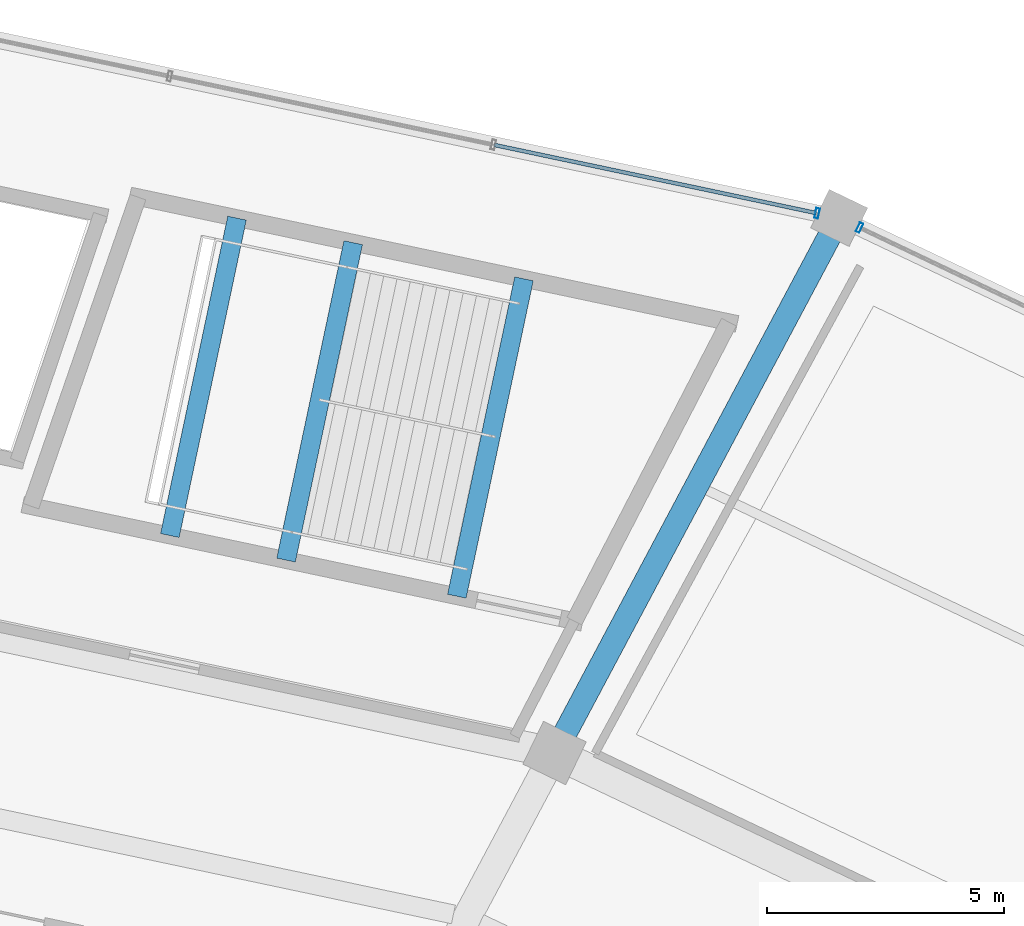
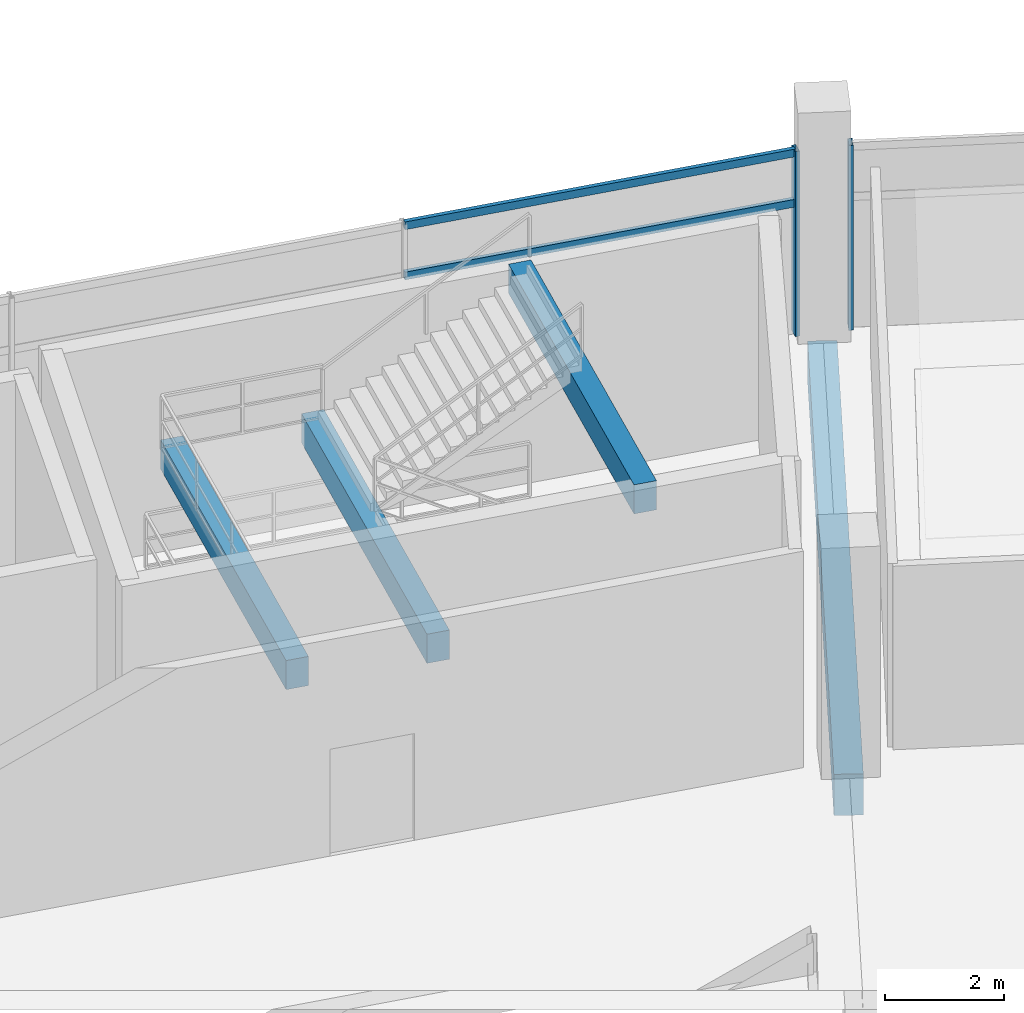
# One storey, part 116 of 171: 4 beams, 4 members, 2 elements without a shape of their own.
"""IFC4 building model written with IfcOpenShell, lengths in metres."""

import ifcopenshell
import ifcopenshell.guid

model = None  # the IFC model being written
_history = None  # IfcOwnerHistory: only IFC2X3 demands one
_inside = {}  # id of a spatial element -> (the spatial element, [elements in it])
_under = {}  # id of a project, library or spatial element -> (it, [spatial elements below it])
_declared = {}  # id of a project -> (the project, [libraries it declares])
_typed = {}  # id of a type object -> (the type object, [elements of that type])
_made_of = {}  # id of a material, layer set ... -> (it, [elements and type objects made of it])


def new_model(schema):
    """Start an empty IFC model of exactly this schema.

    Asked for "IFC4X3", IfcOpenShell would pick the latest addendum, in which some entities
    have other attributes; the version numbers below select the first issue.
    IFC2X3 requires an IfcOwnerHistory on every rooted entity: one is made here for all.
    """
    global model, _history
    if schema == "IFC4X3":
        model = ifcopenshell.file(schema_version=(4, 3, 0, 0))
    else:
        model = ifcopenshell.file(schema=schema)
    _inside.clear()
    _under.clear()
    _declared.clear()
    _typed.clear()
    _made_of.clear()
    _history = None
    if model.schema == "IFC2X3":
        org = make("IfcOrganization", Name="unknown")
        user = make(
            "IfcPersonAndOrganization",
            ThePerson=make("IfcPerson", FamilyName="unknown"),
            TheOrganization=org,
        )
        app = make(
            "IfcApplication",
            ApplicationDeveloper=org,
            Version="unknown",
            ApplicationFullName="unknown",
            ApplicationIdentifier="unknown",
        )
        _history = make(
            "IfcOwnerHistory",
            OwningUser=user,
            OwningApplication=app,
            ChangeAction="ADDED",
            CreationDate=0,
        )
    return model


def make(cls, **values):
    """One entity of the class cls with the attributes given. An attribute that is None is left unset."""
    return model.create_entity(
        cls, **{name: value for name, value in values.items() if value is not None}
    )


def rooted(cls, **values):
    """An entity with a GlobalId (a new one), such as an element, a storey or a relation."""
    return make(cls, GlobalId=ifcopenshell.guid.new(), OwnerHistory=_history, **values)


def si_unit(unit_type, name, prefix=None):
    """IfcSIUnit, for example si_unit("LENGTHUNIT", "METRE", prefix="MILLI")."""
    return make("IfcSIUnit", UnitType=unit_type, Prefix=prefix, Name=name)


def assignment(units):
    """IfcUnitAssignment: the units of a project."""
    return None if units is None else make("IfcUnitAssignment", Units=units)


def point(xyz):
    """IfcCartesianPoint."""
    return None if xyz is None else make("IfcCartesianPoint", Coordinates=xyz)


def direction(xyz):
    """IfcDirection."""
    return None if xyz is None else make("IfcDirection", DirectionRatios=xyz)


def frame(location, z_axis=None, x_axis=None):
    """IfcAxis2Placement3D, a coordinate frame: its origin and axes. An axis left out is left unset."""
    return make(
        "IfcAxis2Placement3D",
        Location=point(location),
        Axis=direction(z_axis),
        RefDirection=direction(x_axis),
    )


def frame_2d(location, x_axis=None):
    """IfcAxis2Placement2D, a coordinate frame in the plane: its origin and x axis."""
    return make(
        "IfcAxis2Placement2D", Location=point(location), RefDirection=direction(x_axis)
    )


def origin():
    """The frame at (0, 0, 0) with its axes left unset."""
    return frame((0.0, 0.0, 0.0))


def origin_2d():
    """The frame at (0, 0) in the plane with its x axis left unset."""
    return frame_2d((0.0, 0.0))


def place(relative_to, where):
    """IfcLocalPlacement: puts the frame where relative to a parent placement (None: the world)."""
    return make(
        "IfcLocalPlacement", PlacementRelTo=relative_to, RelativePlacement=where
    )


def context(
    kind, dimensions, precision=None, world=None, true_north=None, identifier=None
):
    """IfcGeometricRepresentationContext, for example the 3D "Model" context."""
    return make(
        "IfcGeometricRepresentationContext",
        ContextIdentifier=identifier,
        ContextType=kind,
        CoordinateSpaceDimension=dimensions,
        Precision=precision,
        WorldCoordinateSystem=world,
        TrueNorth=true_north,
    )


def subcontext(parent, identifier, kind, view, scale=None):
    """IfcGeometricRepresentationSubContext, for example "Body" below "Model"."""
    return make(
        "IfcGeometricRepresentationSubContext",
        ContextIdentifier=identifier,
        ContextType=kind,
        ParentContext=parent,
        TargetScale=scale,
        TargetView=view,
    )


def project(units=None, contexts=None):
    """IfcProject with its units and contexts."""
    return rooted(
        "IfcProject",
        Name="project",
        RepresentationContexts=contexts,
        UnitsInContext=assignment(units),
    )


def spatial(cls, under=None, at=None, **own):
    """A site, building, storey or space (cls), placed at a placement, below another one or the project."""
    s = rooted(cls, ObjectPlacement=at, **own)
    if under is not None:
        _under.setdefault(under.id(), (under, []))[1].append(s)
    return s


def profile(cls, at=None, kind="AREA", **sizes):
    """A parametric profile (cls). Its sizes go by their IFC names, for example OverallWidth=200.0."""
    return make(cls, ProfileType=kind, Position=at, **sizes)


def rectangle(**sizes):
    """IfcRectangleProfileDef."""
    return profile("IfcRectangleProfileDef", **sizes)


def hollow_rectangle(**sizes):
    """IfcRectangleHollowProfileDef."""
    return profile("IfcRectangleHollowProfileDef", **sizes)


def extrude(swept, where, along, depth):
    """IfcExtrudedAreaSolid: the profile swept, set in the frame where, extruded along a direction by depth."""
    return make(
        "IfcExtrudedAreaSolid",
        SweptArea=swept,
        Position=where,
        ExtrudedDirection=direction(along),
        Depth=depth,
    )


def shape(context_of_items, identifier, shape_type, items):
    """IfcShapeRepresentation: the items that make up one representation, for example the "Body"."""
    return make(
        "IfcShapeRepresentation",
        ContextOfItems=context_of_items,
        RepresentationIdentifier=identifier,
        RepresentationType=shape_type,
        Items=items,
    )


def material(Name=None, Category=None):
    """IfcMaterial."""
    return make("IfcMaterial", Name=Name, Category=Category)


def layer(
    of_material, thickness, ventilated=None, Name=None, Category=None, Priority=None
):
    """IfcMaterialLayer: one layer of a wall or slab, of a material (None: an air gap)."""
    return make(
        "IfcMaterialLayer",
        Material=of_material,
        LayerThickness=thickness,
        IsVentilated=ventilated,
        Name=Name,
        Category=Category,
        Priority=Priority,
    )


def layer_set(layers, Name=None):
    """IfcMaterialLayerSet."""
    return make("IfcMaterialLayerSet", MaterialLayers=layers, LayerSetName=Name)


def material_profile(
    of_material, cross_section, Name=None, Category=None, Priority=None
):
    """IfcMaterialProfile: a cross section and its material."""
    return make(
        "IfcMaterialProfile",
        Name=Name,
        Material=of_material,
        Profile=cross_section,
        Priority=Priority,
        Category=Category,
    )


def profile_set(profiles, Name=None, composite=None):
    """IfcMaterialProfileSet."""
    return make(
        "IfcMaterialProfileSet",
        Name=Name,
        MaterialProfiles=profiles,
        CompositeProfile=composite,
    )


def made_of(thing, what):
    """Note that an element or type object is made of a material, layer set ...; save() writes the relation."""
    if what is not None:
        _made_of.setdefault(what.id(), (what, []))[1].append(thing)
    return thing


def type_object(cls, material=None, **own):
    """A type object (cls), such as IfcWallType, which elements share."""
    return made_of(rooted(cls, **own), material)


def element(
    cls,
    number,
    at=None,
    inside=None,
    cuts=None,
    type_object=None,
    material=None,
    context=None,
    identifier="Body",
    shape_type=None,
    held_by="IfcProductDefinitionShape",
    body=None,
    shapes=None,
    **own,
):
    """One element of the class cls, such as IfcWall. Its Tag is "e" and its number.

    at: its placement. inside: the storey or other place that contains it. cuts: it is an
    opening in that element (IfcRelVoidsElement). A single representation is given by context,
    identifier, shape_type and body (its items); several are given by shapes. held_by: the class
    of the entity that holds the representations. save() writes the other relations.
    """
    e = rooted(cls, Tag="e%d" % number, ObjectPlacement=at, **own)
    if body is not None:
        shapes = [shape(context, identifier, shape_type, body)]
    if shapes is not None:
        e.Representation = make(held_by, Representations=shapes)
    if inside is not None:
        _inside.setdefault(inside.id(), (inside, []))[1].append(e)
    if cuts is not None:
        rooted(
            "IfcRelVoidsElement", RelatingBuildingElement=cuts, RelatedOpeningElement=e
        )
    if type_object is not None:
        _typed.setdefault(type_object.id(), (type_object, []))[1].append(e)
    return made_of(e, material)


def aggregate(whole, parts):
    """IfcRelAggregates: a whole, such as a stair, and the parts it consists of."""
    return rooted("IfcRelAggregates", RelatingObject=whole, RelatedObjects=parts)


def save(model, path):
    """Write the relations noted so far, then the file.

    IfcRelAggregates (storeys below a building ...), IfcRelContainedInSpatialStructure (elements
    in a storey), IfcRelDefinesByType, IfcRelAssociatesMaterial and IfcRelDeclares: one each for
    every whole, place, type object, material and project.
    """
    for whole, parts in _under.values():
        aggregate(whole, parts)
    for where, things in _inside.values():
        rooted(
            "IfcRelContainedInSpatialStructure",
            RelatedElements=things,
            RelatingStructure=where,
        )
    for kind, things in _typed.values():
        rooted("IfcRelDefinesByType", RelatedObjects=things, RelatingType=kind)
    for what, things in _made_of.values():
        rooted("IfcRelAssociatesMaterial", RelatedObjects=things, RelatingMaterial=what)
    for by, libraries in _declared.values():
        rooted("IfcRelDeclares", RelatingContext=by, RelatedDefinitions=libraries)
    model.write(path)


model = new_model("IFC4")

# Units and contexts
model_context = context("Model", 3, precision=1e-05, world=origin(), true_north=direction((0.0, 1.0)))
body_context = subcontext(model_context, "Body", "Model", "MODEL_VIEW")
ifc_project = project(units=[si_unit("LENGTHUNIT", "METRE"), si_unit("AREAUNIT", "SQUARE_METRE"), si_unit("VOLUMEUNIT", "CUBIC_METRE"), si_unit("PLANEANGLEUNIT", "RADIAN"), si_unit("MASSUNIT", "GRAM", prefix="KILO")], contexts=[model_context])

# Site, building, storey
site_placement = place(None, origin())
site = spatial("IfcSite", under=ifc_project, at=site_placement, CompositionType="ELEMENT")
building_placement = place(site_placement, origin())
building = spatial("IfcBuilding", under=site, at=building_placement, Name="Kazemori Nagisa Stadium", CompositionType="ELEMENT")
storey_placement = place(building_placement, frame((0.0, 0.0, 15.639892578125)))
storey = spatial("IfcBuildingStorey", under=building, at=storey_placement, Name="L03", CompositionType="ELEMENT", Elevation=15.639892578125)

# Beams
ifc_material_1 = material(Name="Concrete C40/50 (Fc42)", Category="concrete")
ifc_material_profile_1 = material_profile(ifc_material_1, rectangle(XDim=0.39990234375, YDim=0.60009765625, at=origin_2d()), Name="RC-BM-400x600")
ifc_profile_set_1 = profile_set([ifc_material_profile_1], Name="Concrete C40/50 (Fc42)")
beam_type_1 = type_object("IfcBeamType", Name="Beam_BG-LND400X600", PredefinedType="BEAM", material=ifc_profile_set_1)
beam_1_placement = place(storey_placement, frame((154.1591796875, 175.259765625, 1.880126953125), z_axis=(0.20695595975, 0.978350259735, 0.0), x_axis=(-0.978350259735, 0.20695595975, 0.0)))
element("IfcBeam", 1, at=beam_1_placement, inside=storey, type_object=beam_type_1, Name="Core stair mid-landing girder ST11-L03-1", PredefinedType="BEAM", context=body_context, shape_type="SweptSolid", body=[
    extrude(rectangle(XDim=0.39990234375, YDim=0.60009765625, at=origin_2d()), origin(), (0.0, 0.0, 1.0), 6.83154296875),
])
for number, where, z_axis, x_axis, name in (
    (2, (151.71337890625, 175.77734375, 1.880126953125), (0.206963195966, 0.97834872899, 0.0), (-0.97834872899, 0.206963195966, 0.0), "Core stair mid-landing girder ST11-L03-2"),
    (3, (157.754638671875, 174.499267578125, 4.16015625), (0.206963195966, 0.97834872899, 0.0), (-0.97834872899, 0.206963195966, 0.0), "Core stair arrival header girder ST11-L03"),
):
    element("IfcBeam", number, at=place(storey_placement, frame(where, z_axis=z_axis, x_axis=x_axis)), inside=storey, type_object=beam_type_1, Name=name, PredefinedType="BEAM", context=body_context, shape_type="SweptSolid", body=[
        extrude(rectangle(XDim=0.39990234375, YDim=0.60009765625, at=origin_2d()), origin(), (0.0, 0.0, 1.0), 6.831298828125),
    ])
ifc_material_profile_2 = material_profile(ifc_material_1, rectangle(XDim=0.5, YDim=0.85009765625, at=origin_2d()), Name="RC-BM-500x850")
ifc_profile_set_2 = profile_set([ifc_material_profile_2], Name="Concrete C40/50 (Fc42)")
beam_type_2 = type_object("IfcBeamType", Name="Beam_BG-RC500X850", PredefinedType="BEAM", material=ifc_profile_set_2)
beam_2_placement = place(storey_placement, frame((159.81201171875, 171.19921875, -0.684814453125), z_axis=(0.469648511848, 0.882853484628, 0.0), x_axis=(-0.882853484628, 0.469648511848, 0.0)))
element("IfcBeam", 4, at=beam_2_placement, inside=storey, type_object=beam_type_2, Name="Radial girder BG-RC500X850 L03 R2-R3-06", PredefinedType="BEAM", context=body_context, shape_type="SweptSolid", body=[
    extrude(rectangle(XDim=0.5, YDim=0.85009765625, at=origin_2d()), origin(), (0.0, 0.0, 1.0), 12.760009765625),
])

# Curtain wall, member
ifc_material_2 = material(Name="Anodised aluminium 6063-T5", Category="aluminium")
ifc_layer = layer(ifc_material_2, 0.2099609375, Name="Anodised aluminium 6063-T5", Category="aluminium")
ifc_layer_set = layer_set([ifc_layer], Name="Anodised aluminium 6063-T5")
curtain_wall_type = type_object("IfcCurtainWallType", Name="CW_L03R3_105", PredefinedType="USERDEFINED", material=ifc_layer_set)
curtain_wall_1_placement = place(storey_placement, origin())
curtain_wall_1 = element("IfcCurtainWall", 5, at=curtain_wall_1_placement, inside=storey, type_object=curtain_wall_type, Name="Unitised curtain wall CW-L03R3-105 L03", ObjectType="UNITISED CURTAIN WALL", PredefinedType="USERDEFINED")
ifc_material_3 = material(Name="Aluminium 6063-T5 anodised", Category="aluminium")
ifc_material_profile_3 = material_profile(ifc_material_3, hollow_rectangle(XDim=0.080078125, YDim=0.2099609375, WallThickness=0.0048828125, at=origin_2d()), Name="ALU-MULL-80x210x5")
ifc_profile_set_3 = profile_set([ifc_material_profile_3], Name="Aluminium 6063-T5 anodised")
member_type_1 = type_object("IfcMemberType", Name="Mullion_M02", PredefinedType="MULLION", material=ifc_profile_set_3)
member_1_placement = place(storey_placement, frame((166.233642578125, 182.260498046875, 0.0), z_axis=(0.0, 0.0, 1.0), x_axis=(-0.903215892654, 0.429186499388, 0.0)))
member_1 = element("IfcMember", 6, at=member_1_placement, type_object=member_type_1, Name="Curtain wall mullion CW-L03R3-105-M4", PredefinedType="MULLION", context=body_context, shape_type="SweptSolid", body=[
    extrude(hollow_rectangle(XDim=0.080078125, YDim=0.2099609375, WallThickness=0.0048828125, at=origin_2d()), origin(), (0.0, 0.0, 1.0), 3.81005859375),
])
aggregate(curtain_wall_1, [member_1])

# Curtain wall, members
curtain_wall_2_placement = place(storey_placement, origin())
curtain_wall_2 = element("IfcCurtainWall", 7, at=curtain_wall_2_placement, inside=storey, type_object=curtain_wall_type, Name="Unitised curtain wall CW-L03R3-105 L03", ObjectType="UNITISED CURTAIN WALL", PredefinedType="USERDEFINED")
member_2_placement = place(storey_placement, frame((165.340087890625, 182.5625, 0.0), z_axis=(0.0, 0.0, 1.0), x_axis=(-0.978344955407, 0.206981033502, 0.0)))
member_2 = element("IfcMember", 8, at=member_2_placement, type_object=member_type_1, Name="Curtain wall mullion CW-L03R3-105-M1", PredefinedType="MULLION", context=body_context, shape_type="SweptSolid", body=[
    extrude(hollow_rectangle(XDim=0.080078125, YDim=0.2099609375, WallThickness=0.0048828125, at=origin_2d()), origin(), (0.0, 0.0, 1.0), 3.81005859375),
])
ifc_material_profile_4 = material_profile(ifc_material_3, hollow_rectangle(XDim=0.080078125, YDim=0.159912109375, WallThickness=0.00390625, at=origin_2d()), Name="ALU-TRAN-80x160x4")
ifc_profile_set_4 = profile_set([ifc_material_profile_4], Name="Aluminium 6063-T5 anodised")
member_type_2 = type_object("IfcMemberType", Name="Transom_T02", PredefinedType="USERDEFINED", material=ifc_profile_set_4)
member_3_placement = place(storey_placement, frame((165.320556640625, 182.566650390625, 2.705322265625), z_axis=(-0.97834174255, 0.206996219252, 0.0), x_axis=(-0.206996219252, -0.97834174255, 0.0)))
member_3 = element("IfcMember", 9, at=member_3_placement, type_object=member_type_2, Name="Curtain wall transom CW-L03R3-105-T1-mid", ObjectType="TRANSOM", PredefinedType="USERDEFINED", context=body_context, shape_type="SweptSolid", body=[
    extrude(hollow_rectangle(XDim=0.080078125, YDim=0.159912109375, WallThickness=0.00390625, at=origin_2d()), origin(), (0.0, 0.0, 1.0), 6.9267578125),
])
member_4_placement = place(storey_placement, frame((165.320556640625, 182.566650390625, 3.739990234375), z_axis=(-0.97834174255, 0.206996219252, 0.0), x_axis=(-0.206996219252, -0.97834174255, 0.0)))
member_4 = element("IfcMember", 10, at=member_4_placement, type_object=member_type_2, Name="Curtain wall transom CW-L03R3-105-T1-head", ObjectType="TRANSOM", PredefinedType="USERDEFINED", context=body_context, shape_type="SweptSolid", body=[
    extrude(hollow_rectangle(XDim=0.080078125, YDim=0.159912109375, WallThickness=0.00390625, at=origin_2d()), origin(), (0.0, 0.0, 1.0), 6.9267578125),
])
aggregate(curtain_wall_2, [member_2, member_3, member_4])

save(model, "model.ifc")
